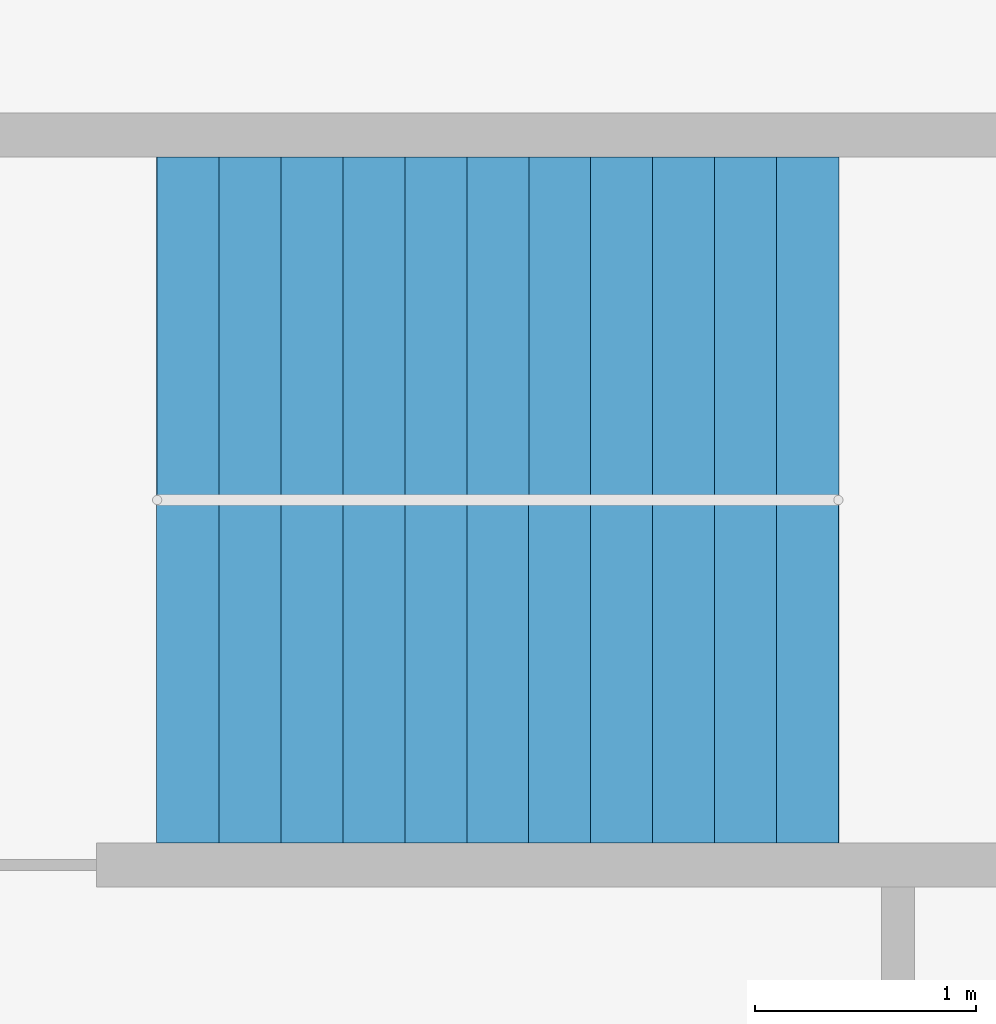
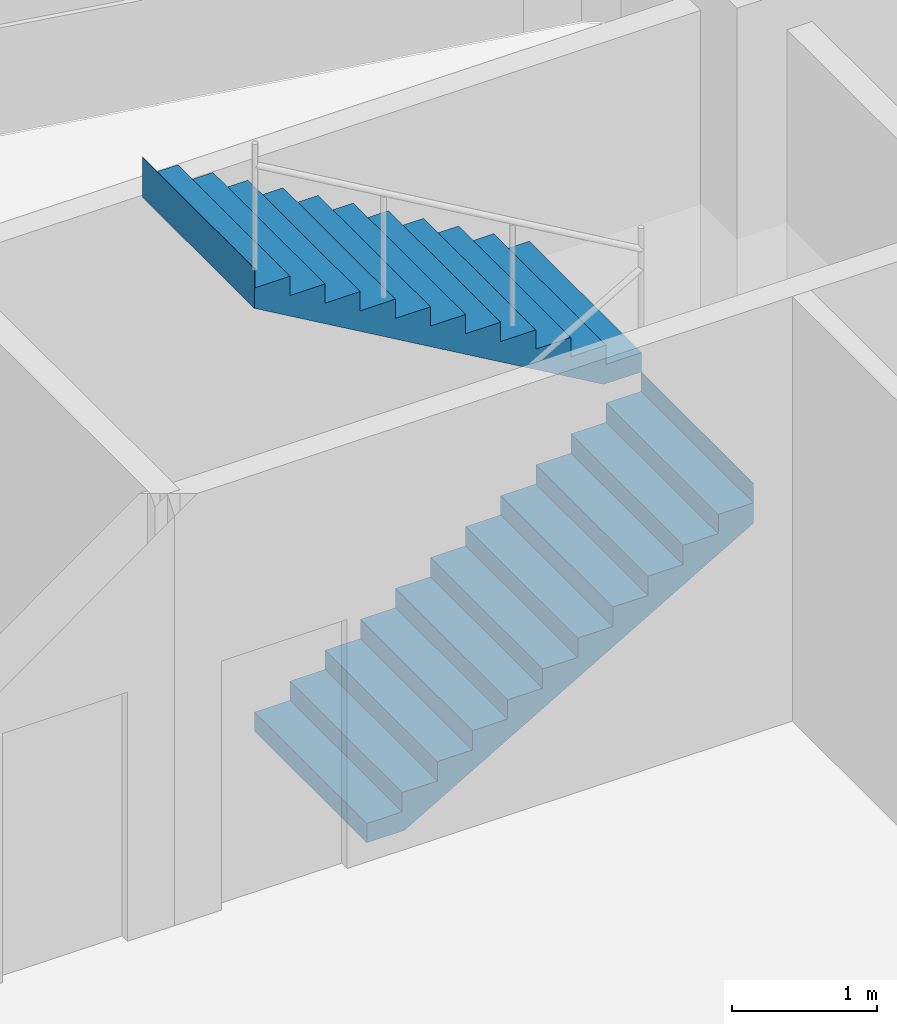
# One storey, part 8 of 10: 2 stair flights, 1 element without a shape of its own.
"""IFC4 building model written with IfcOpenShell, lengths in metres."""

from ifc_helpers import new_model, si_unit, direction, frame, origin, place, context, subcontext, project, spatial, polyline, outline, extrude, material, type_object, element, aggregate, save


model = new_model("IFC4")

# Units and contexts
model_context = context("Model", 3, precision=1e-05, world=origin(), true_north=direction((0.0, 1.0)))
body_context = subcontext(model_context, "Body", "Model", "MODEL_VIEW")
ifc_project = project(units=[si_unit("LENGTHUNIT", "METRE"), si_unit("AREAUNIT", "SQUARE_METRE"), si_unit("VOLUMEUNIT", "CUBIC_METRE"), si_unit("PLANEANGLEUNIT", "RADIAN"), si_unit("MASSUNIT", "GRAM", prefix="KILO")], contexts=[model_context])

# Site, building, storey
site_placement = place(None, origin())
site = spatial("IfcSite", under=ifc_project, at=site_placement, CompositionType="ELEMENT")
building_placement = place(site_placement, origin())
building = spatial("IfcBuilding", under=site, at=building_placement, Name="Qaws Garden Tower", CompositionType="ELEMENT")
storey_placement = place(building_placement, frame((0.0, 0.0, 47.10009765625)))
storey = spatial("IfcBuildingStorey", under=building, at=storey_placement, Name="L11", CompositionType="ELEMENT", Elevation=47.10009765625)

# Stair, stair flights
ifc_material_1 = material(Name="Concrete C40", Category="concrete")
stair_type = type_object("IfcStairType", Name="Exit stair 1350", PredefinedType="HALF_TURN_STAIR", material=ifc_material_1)
stair_placement = place(storey_placement, origin())
stair = element("IfcStair", 1, at=stair_placement, inside=storey, type_object=stair_type, Name="Stair 7", PredefinedType="HALF_TURN_STAIR")
ifc_material_2 = material(Name="Concrete C40", Category="concrete")
stair_flight_type = type_object("IfcStairFlightType", Name="Stair flight 1350", PredefinedType="STRAIGHT", material=ifc_material_2)
stair_flight_1_placement = place(storey_placement, frame((14.75, 67.375, 0.0), z_axis=(0.0, 0.0, 1.0), x_axis=(1.0, 0.0, 0.0)))
stair_flight_1 = element("IfcStairFlight", 2, at=stair_flight_1_placement, type_object=stair_flight_type, Name="ST7 flight 1", NumberOfRisers=12, NumberOfTreads=11, PredefinedType="STRAIGHT", RiserHeight=0.1625, TreadLength=0.28, context=body_context, shape_type="SweptSolid", body=[
    extrude(outline(polyline([(-0.0029296875, 0.0), (-0.0029296875, 0.16259765625), (0.0, 0.16259765625), (0.280029296875, 0.16259765625), (0.280029296875, 0.324951171875), (0.56005859375, 0.324951171875), (0.56005859375, 0.487548828125), (0.840087890625, 0.487548828125), (0.840087890625, 0.64990234375), (1.1201171875, 0.64990234375), (1.1201171875, 0.8125), (1.39990234375, 0.8125), (1.39990234375, 0.97509765625), (1.679931640625, 0.97509765625), (1.679931640625, 1.137451171875), (1.9599609375, 1.137451171875), (1.9599609375, 1.300048828125), (2.239990234375, 1.300048828125), (2.239990234375, 1.46240234375), (2.52001953125, 1.46240234375), (2.52001953125, 1.625), (2.800048828125, 1.625), (2.800048828125, 1.78759765625), (3.080078125, 1.78759765625), (3.080078125, 1.949951171875), (3.0830078125, 1.949951171875), (3.0830078125, 1.6142578125), (3.080078125, 1.6142578125), (0.298583984375, 0.0), (-0.0029296875, 0.0)])), frame((0.0, 0.77490234375, 0.0), z_axis=(0.0, -1.0, 0.0), x_axis=(1.0, 0.0, 0.0)), (0.0, 0.0, 1.0), 1.550048828125),
])
stair_flight_2_placement = place(storey_placement, frame((17.830078125, 68.925048828125, 1.949951171875), z_axis=(0.0, 0.0, 1.0), x_axis=(-1.0, 0.0, 0.0)))
stair_flight_2 = element("IfcStairFlight", 3, at=stair_flight_2_placement, type_object=stair_flight_type, Name="ST7 flight 2", NumberOfRisers=12, NumberOfTreads=11, PredefinedType="STRAIGHT", RiserHeight=0.1625, TreadLength=0.28, context=body_context, shape_type="SweptSolid", body=[
    extrude(outline(polyline([(-0.0029296875, 0.0), (-0.0029296875, 0.16259765625), (0.0, 0.16259765625), (0.280029296875, 0.16259765625), (0.280029296875, 0.324951171875), (0.56005859375, 0.324951171875), (0.56005859375, 0.487548828125), (0.840087890625, 0.487548828125), (0.840087890625, 0.64990234375), (1.1201171875, 0.64990234375), (1.1201171875, 0.8125), (1.39990234375, 0.8125), (1.39990234375, 0.97509765625), (1.679931640625, 0.97509765625), (1.679931640625, 1.137451171875), (1.9599609375, 1.137451171875), (1.9599609375, 1.300048828125), (2.239990234375, 1.300048828125), (2.239990234375, 1.46240234375), (2.52001953125, 1.46240234375), (2.52001953125, 1.625), (2.800048828125, 1.625), (2.800048828125, 1.78759765625), (3.080078125, 1.78759765625), (3.080078125, 1.949951171875), (3.0830078125, 1.949951171875), (3.0830078125, 1.6142578125), (3.080078125, 1.6142578125), (0.298583984375, 0.0), (-0.0029296875, 0.0)])), frame((0.0, 0.77490234375, 0.0), z_axis=(0.0, -1.0, 0.0), x_axis=(1.0, 0.0, 0.0)), (0.0, 0.0, 1.0), 1.550048828125),
])
aggregate(stair, [stair_flight_1, stair_flight_2])

save(model, "model.ifc")
